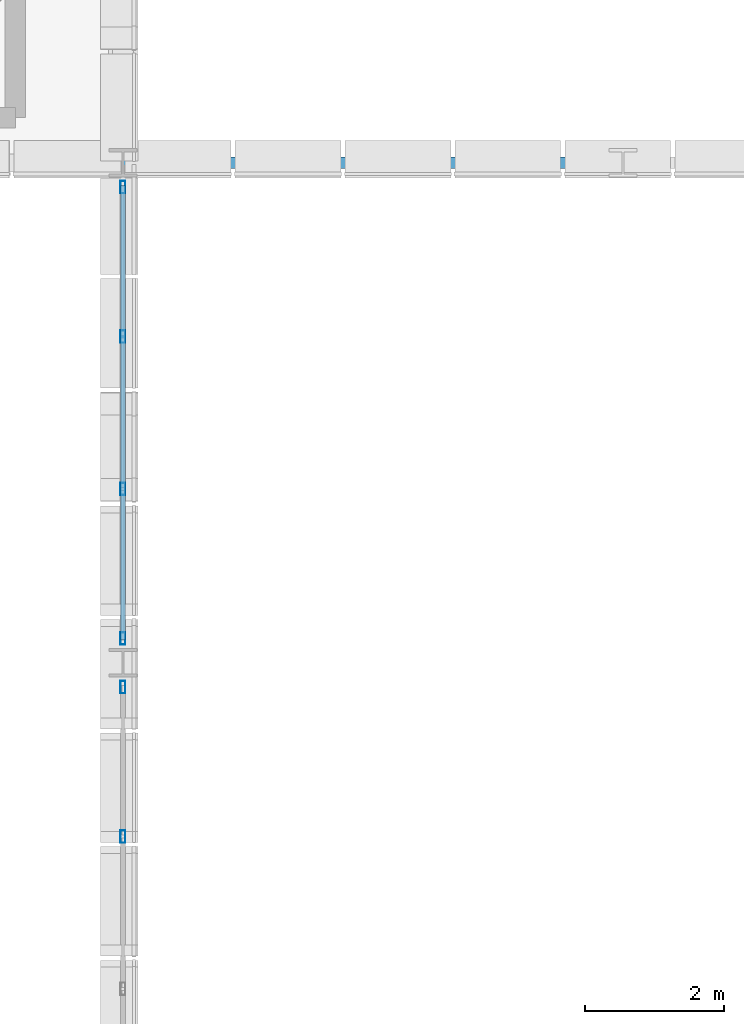
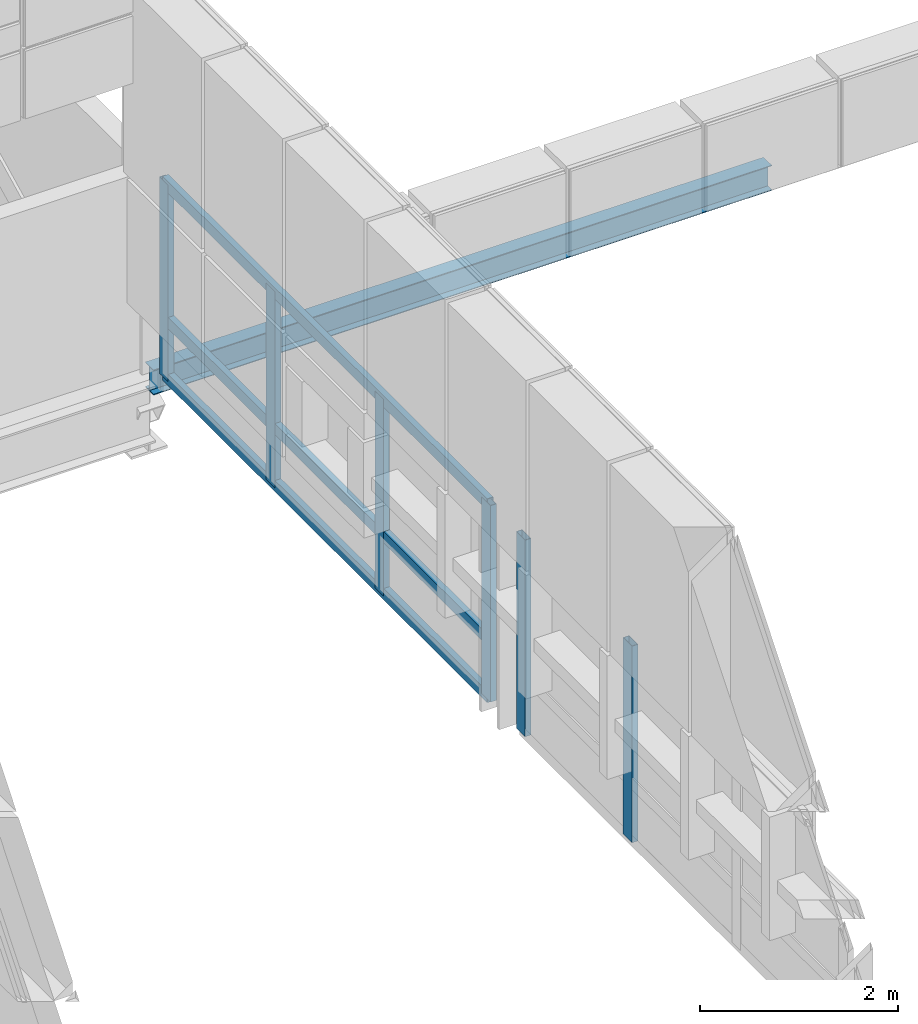
# One storey, part 19 of 96: 9 members, 1 beam, 2 elements without a shape of their own.
"""IFC4 building model written with IfcOpenShell, lengths in metres."""

from ifc_helpers import new_model, si_unit, direction, frame, origin, origin_2d, place, context, subcontext, project, spatial, hollow_rectangle, i_section, extrude, material, material_profile, profile_set, type_object, element, aggregate, save


model = new_model("IFC4")

# Units and contexts
model_context = context("Model", 3, precision=1e-05, world=origin(), true_north=direction((0.0, 1.0)))
body_context = subcontext(model_context, "Body", "Model", "MODEL_VIEW")
ifc_project = project(units=[si_unit("LENGTHUNIT", "METRE"), si_unit("AREAUNIT", "SQUARE_METRE"), si_unit("VOLUMEUNIT", "CUBIC_METRE"), si_unit("PLANEANGLEUNIT", "RADIAN"), si_unit("MASSUNIT", "GRAM", prefix="KILO")], contexts=[model_context])

# Site, building, storey
site_placement = place(None, origin())
site = spatial("IfcSite", under=ifc_project, at=site_placement, CompositionType="ELEMENT")
building_placement = place(site_placement, origin())
building = spatial("IfcBuilding", under=site, at=building_placement, Name="Yarey Park Central Fire Station", CompositionType="ELEMENT")
storey_placement = place(building_placement, frame((0.0, 0.0, 14.39990234375)))
storey = spatial("IfcBuildingStorey", under=building, at=storey_placement, Name="L04", CompositionType="ELEMENT", Elevation=14.39990234375)

# Curtain wall, members
ifc_material_1 = material(Name="Anodized Aluminium Frame", Category="aluminium")
curtain_wall_type = type_object("IfcCurtainWallType", Name="ENV_CW_V3_OVR2", PredefinedType="NOTDEFINED", material=ifc_material_1)
curtain_wall_1_placement = place(storey_placement, origin())
curtain_wall_1 = element("IfcCurtainWall", 1, at=curtain_wall_1_placement, inside=storey, type_object=curtain_wall_type, Name="CW_L04_V1_E_077", PredefinedType="NOTDEFINED")
ifc_material_profile_1 = material_profile(ifc_material_1, hollow_rectangle(XDim=0.070068359375, YDim=0.179931640625, WallThickness=0.00390625, at=origin_2d()), Name="ALU 180x70x4")
ifc_profile_set_1 = profile_set([ifc_material_profile_1], Name="Anodized Aluminium Frame")
member_type_1 = type_object("IfcMemberType", Name="ENV_CW_MULLION", PredefinedType="MULLION", material=ifc_profile_set_1)
member_1_placement = place(storey_placement, frame((57.60009765625, 47.896728515625, 0.0), z_axis=(0.0, 0.0, 1.0), x_axis=(1.0, 0.0, 0.0)))
member_1 = element("IfcMember", 2, at=member_1_placement, type_object=member_type_1, Name="CW_L04_V1_E_077_MUL3", PredefinedType="MULLION", context=body_context, shape_type="SweptSolid", body=[
    extrude(hollow_rectangle(XDim=0.070068359375, YDim=0.179931640625, WallThickness=0.00390625, at=origin_2d()), origin(), (0.0, 0.0, 1.0), 2.420166015625),
])
member_2_placement = place(storey_placement, frame((57.60009765625, 50.050048828125, 0.0), z_axis=(0.0, 0.0, 1.0), x_axis=(1.0, 0.0, 0.0)))
member_2 = element("IfcMember", 3, at=member_2_placement, type_object=member_type_1, Name="CW_L04_V1_E_077_MUL4", PredefinedType="MULLION", context=body_context, shape_type="SweptSolid", body=[
    extrude(hollow_rectangle(XDim=0.070068359375, YDim=0.179931640625, WallThickness=0.00390625, at=origin_2d()), origin(), (0.0, 0.0, 1.0), 2.420166015625),
])
aggregate(curtain_wall_1, [member_1, member_2])

curtain_wall_2_placement = place(storey_placement, origin())
curtain_wall_2 = element("IfcCurtainWall", 4, at=curtain_wall_2_placement, inside=storey, type_object=curtain_wall_type, Name="CW_L04_V1_E_078", PredefinedType="NOTDEFINED")
member_3_placement = place(storey_placement, frame((57.60009765625, 50.75, 0.0), z_axis=(0.0, 0.0, 1.0), x_axis=(1.0, 0.0, 0.0)))
member_3 = element("IfcMember", 5, at=member_3_placement, type_object=member_type_1, Name="CW_L04_V1_E_078_MUL1", PredefinedType="MULLION", context=body_context, shape_type="SweptSolid", body=[
    extrude(hollow_rectangle(XDim=0.070068359375, YDim=0.179931640625, WallThickness=0.00390625, at=origin_2d()), origin(), (0.0, 0.0, 1.0), 2.420166015625),
])
member_4_placement = place(storey_placement, frame((57.60009765625, 52.9033203125, 0.0), z_axis=(0.0, 0.0, 1.0), x_axis=(1.0, 0.0, 0.0)))
member_4 = element("IfcMember", 6, at=member_4_placement, type_object=member_type_1, Name="CW_L04_V1_E_078_MUL2", PredefinedType="MULLION", context=body_context, shape_type="SweptSolid", body=[
    extrude(hollow_rectangle(XDim=0.070068359375, YDim=0.179931640625, WallThickness=0.00390625, at=origin_2d()), origin(), (0.0, 0.0, 1.0), 2.420166015625),
])
member_5_placement = place(storey_placement, frame((57.60009765625, 55.0966796875, 0.0), z_axis=(0.0, 0.0, 1.0), x_axis=(1.0, 0.0, 0.0)))
member_5 = element("IfcMember", 7, at=member_5_placement, type_object=member_type_1, Name="CW_L04_V1_E_078_MUL3", PredefinedType="MULLION", context=body_context, shape_type="SweptSolid", body=[
    extrude(hollow_rectangle(XDim=0.070068359375, YDim=0.179931640625, WallThickness=0.00390625, at=origin_2d()), origin(), (0.0, 0.0, 1.0), 2.420166015625),
])
member_6_placement = place(storey_placement, frame((57.60009765625, 57.25, 0.0), z_axis=(0.0, 0.0, 1.0), x_axis=(1.0, 0.0, 0.0)))
member_6 = element("IfcMember", 8, at=member_6_placement, type_object=member_type_1, Name="CW_L04_V1_E_078_MUL4", PredefinedType="MULLION", context=body_context, shape_type="SweptSolid", body=[
    extrude(hollow_rectangle(XDim=0.070068359375, YDim=0.179931640625, WallThickness=0.00390625, at=origin_2d()), origin(), (0.0, 0.0, 1.0), 2.420166015625),
])
ifc_material_profile_2 = material_profile(ifc_material_1, hollow_rectangle(XDim=0.070068359375, YDim=0.139892578125, WallThickness=0.00390625, at=origin_2d()), Name="ALU 140x70x4")
ifc_profile_set_2 = profile_set([ifc_material_profile_2], Name="Anodized Aluminium Frame")
member_type_2 = type_object("IfcMemberType", Name="ENV_CW_TRANSOM", PredefinedType="USERDEFINED", material=ifc_profile_set_2)
member_7_placement = place(storey_placement, frame((57.60009765625, 50.72509765625, 0.025146484375), z_axis=(0.0, 1.0, 0.0), x_axis=(-1.0, 0.0, 0.0)))
member_7 = element("IfcMember", 9, at=member_7_placement, type_object=member_type_2, Name="CW_L04_V1_E_078_TRN1", ObjectType="TRANSOM", PredefinedType="USERDEFINED", context=body_context, shape_type="SweptSolid", body=[
    extrude(hollow_rectangle(XDim=0.070068359375, YDim=0.139892578125, WallThickness=0.00390625, at=origin_2d()), origin(), (0.0, 0.0, 1.0), 6.5498046875),
])
member_8_placement = place(storey_placement, frame((57.60009765625, 50.72509765625, 0.72607421875), z_axis=(0.0, 1.0, 0.0), x_axis=(-1.0, 0.0, 0.0)))
member_8 = element("IfcMember", 10, at=member_8_placement, type_object=member_type_2, Name="CW_L04_V1_E_078_TRN2", ObjectType="TRANSOM", PredefinedType="USERDEFINED", context=body_context, shape_type="SweptSolid", body=[
    extrude(hollow_rectangle(XDim=0.070068359375, YDim=0.139892578125, WallThickness=0.00390625, at=origin_2d()), origin(), (0.0, 0.0, 1.0), 6.5498046875),
])
member_9_placement = place(storey_placement, frame((57.60009765625, 50.72509765625, 2.39501953125), z_axis=(0.0, 1.0, 0.0), x_axis=(-1.0, 0.0, 0.0)))
member_9 = element("IfcMember", 11, at=member_9_placement, type_object=member_type_2, Name="CW_L04_V1_E_078_TRN3", ObjectType="TRANSOM", PredefinedType="USERDEFINED", context=body_context, shape_type="SweptSolid", body=[
    extrude(hollow_rectangle(XDim=0.070068359375, YDim=0.139892578125, WallThickness=0.00390625, at=origin_2d()), origin(), (0.0, 0.0, 1.0), 6.5498046875),
])
aggregate(curtain_wall_2, [member_3, member_4, member_5, member_6, member_7, member_8, member_9])

# Beam
ifc_material_2 = material(Name="Steel ASTM A992 Gr. 50", Category="steel")
ifc_material_profile_3 = material_profile(ifc_material_2, i_section(OverallWidth=0.1650390625, OverallDepth=0.31005859375, WebThickness=0.005859375, FlangeThickness=0.009765625, at=origin_2d()), Name="W310x39")
ifc_profile_set_3 = profile_set([ifc_material_profile_3], Name="Steel ASTM A992 Gr. 50")
beam_type = type_object("IfcBeamType", Name="STR_SPN_W310", PredefinedType="SPANDREL", material=ifc_profile_set_3)
beam_placement = place(storey_placement, frame((57.60009765625, 57.60009765625, -0.23486328125), z_axis=(1.0, 0.0, 0.0), x_axis=(0.0, 1.0, 0.0)))
element("IfcBeam", 12, at=beam_placement, inside=storey, type_object=beam_type, Name="V2 BOX GIRT S M2 01", PredefinedType="SPANDREL", context=body_context, shape_type="SweptSolid", body=[
    extrude(i_section(OverallWidth=0.1650390625, OverallDepth=0.31005859375, WebThickness=0.005859375, FlangeThickness=0.009765625, at=origin_2d()), origin(), (0.0, 0.0, 1.0), 7.199951171875),
])

save(model, "model.ifc")
